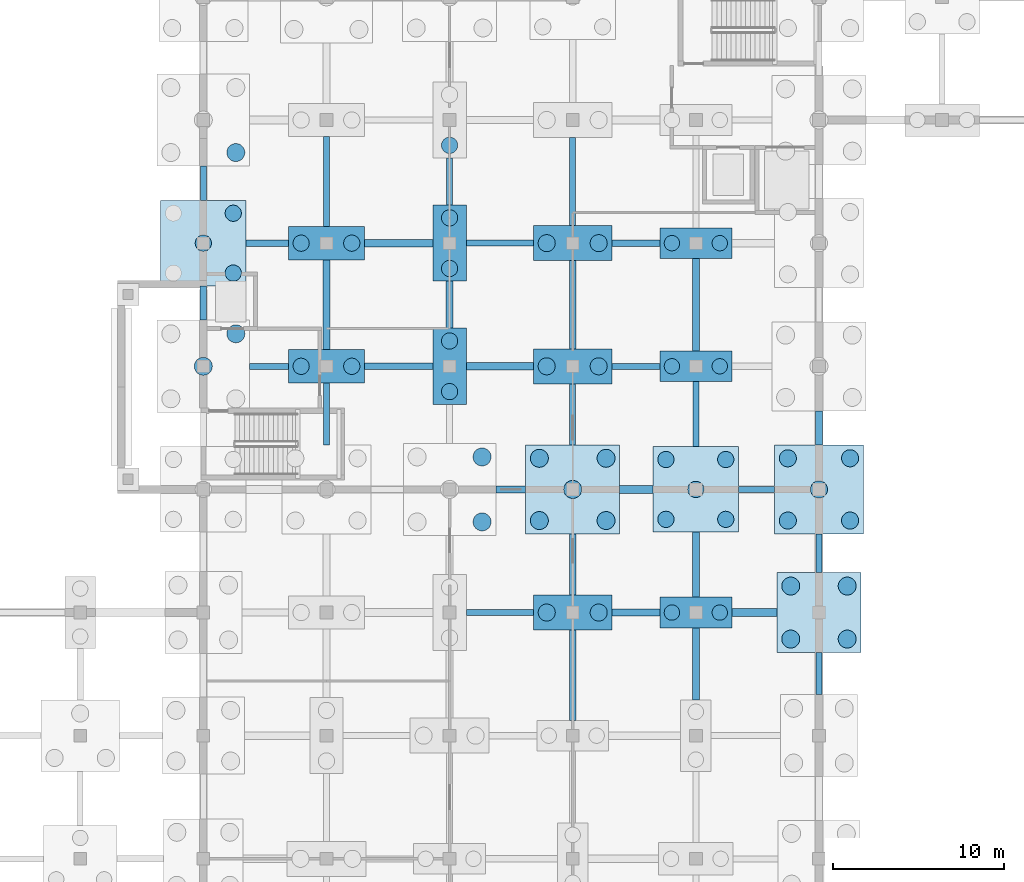
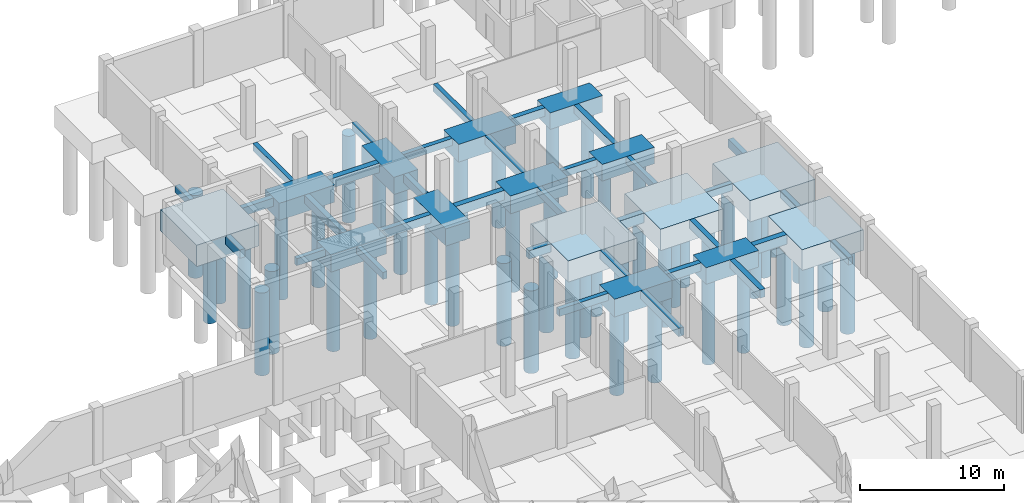
# One storey, part 11 of 35: 48 footings, 48 piles.
"""IFC4 building model written with IfcOpenShell, lengths in metres."""

from ifc_helpers import new_model, si_unit, direction, frame, origin, origin_2d, place, context, subcontext, project, spatial, rectangle, circle, extrude, material, material_profile, profile_set, type_object, element, save


model = new_model("IFC4")

# Units and contexts
model_context = context("Model", 3, precision=1e-05, world=origin(), true_north=direction((0.0, 1.0)))
body_context = subcontext(model_context, "Body", "Model", "MODEL_VIEW")
ifc_project = project(units=[si_unit("LENGTHUNIT", "METRE"), si_unit("AREAUNIT", "SQUARE_METRE"), si_unit("VOLUMEUNIT", "CUBIC_METRE"), si_unit("PLANEANGLEUNIT", "RADIAN"), si_unit("MASSUNIT", "GRAM", prefix="KILO"), si_unit("THERMODYNAMICTEMPERATUREUNIT", "KELVIN"), si_unit("POWERUNIT", "WATT")], contexts=[model_context])

# Site, building, storey
site_placement = place(None, origin())
site = spatial("IfcSite", under=ifc_project, at=site_placement, CompositionType="ELEMENT")
building_placement = place(site_placement, origin())
building = spatial("IfcBuilding", under=site, at=building_placement, Name="Kaldorven Railside Theatre", CompositionType="ELEMENT")
storey_placement = place(building_placement, frame((0.0, 0.0, -4.800048828125)))
storey = spatial("IfcBuildingStorey", under=building, at=storey_placement, Name="B1", CompositionType="ELEMENT", Elevation=-4.800048828125)

# Footings
ifc_material_1 = material(Name="Concrete C40/50", Category="concrete")
ifc_material_profile_1 = material_profile(ifc_material_1, rectangle(XDim=0.449951171875, YDim=0.800048828125, at=origin_2d()), Name="RC 450x800")
ifc_profile_set_1 = profile_set([ifc_material_profile_1], Name="Concrete C40/50")
footing_type_1 = type_object("IfcFootingType", Name="FTG-GB01", PredefinedType="FOOTING_BEAM", material=ifc_profile_set_1)
footing_1_placement = place(storey_placement, frame((118.10009765625, 76.800048828125, -0.39990234375), z_axis=(1.0, 0.0, 0.0), x_axis=(0.0, 1.0, 0.0)))
element("IfcFooting", 1, at=footing_1_placement, inside=storey, type_object=footing_type_1, Name="Foundation Tie Beam GB-309", PredefinedType="FOOTING_BEAM", context=body_context, shape_type="SweptSolid", body=[
    extrude(rectangle(XDim=0.449951171875, YDim=0.800048828125, at=origin_2d()), origin(), (0.0, 0.0, 1.0), 2.64990234375),
])
footing_2_placement = place(storey_placement, frame((111.550048828125, 84.0, -0.39990234375), z_axis=(1.0, 0.0, 0.0), x_axis=(0.0, 1.0, 0.0)))
element("IfcFooting", 2, at=footing_2_placement, inside=storey, type_object=footing_type_1, Name="Foundation Tie Beam GB-318", PredefinedType="FOOTING_BEAM", context=body_context, shape_type="SweptSolid", body=[
    extrude(rectangle(XDim=0.449951171875, YDim=0.800048828125, at=origin_2d()), origin(), (0.0, 0.0, 1.0), 1.949951171875),
])
footing_3_placement = place(storey_placement, frame((102.574951171875, 91.199951171875, -0.39990234375), z_axis=(1.0, 0.0, 0.0), x_axis=(0.0, 1.0, 0.0)))
element("IfcFooting", 3, at=footing_3_placement, inside=storey, type_object=footing_type_1, Name="Foundation Tie Beam GB-327", PredefinedType="FOOTING_BEAM", context=body_context, shape_type="SweptSolid", body=[
    extrude(rectangle(XDim=0.449951171875, YDim=0.800048828125, at=origin_2d()), origin(), (0.0, 0.0, 1.0), 3.925048828125),
])
footing_4_placement = place(storey_placement, frame((96.625, 98.39990234375, -0.39990234375), z_axis=(1.0, 0.0, 0.0), x_axis=(0.0, 1.0, 0.0)))
element("IfcFooting", 4, at=footing_4_placement, inside=storey, type_object=footing_type_1, Name="Foundation Tie Beam GB-336", PredefinedType="FOOTING_BEAM", context=body_context, shape_type="SweptSolid", body=[
    extrude(rectangle(XDim=0.449951171875, YDim=0.800048828125, at=origin_2d()), origin(), (0.0, 0.0, 1.0), 4.0),
])
ifc_material_profile_2 = material_profile(ifc_material_1, rectangle(XDim=0.39990234375, YDim=0.699951171875, at=origin_2d()), Name="RC 400x700")
ifc_profile_set_2 = profile_set([ifc_material_profile_2], Name="Concrete C40/50")
footing_type_2 = type_object("IfcFootingType", Name="FTG-GB02", PredefinedType="FOOTING_BEAM", material=ifc_profile_set_2)
footing_5_placement = place(storey_placement, frame((108.800048828125, 70.5, -0.349853515625), z_axis=(0.0, 1.0, 0.0), x_axis=(-1.0, 0.0, 0.0)))
element("IfcFooting", 5, at=footing_5_placement, inside=storey, type_object=footing_type_2, Name="Foundation Tie Beam GB-286", PredefinedType="FOOTING_BEAM", context=body_context, shape_type="SweptSolid", body=[
    extrude(rectangle(XDim=0.39990234375, YDim=0.699951171875, at=origin_2d()), origin(), (0.0, 0.0, 1.0), 5.27490234375),
])
footing_6_placement = place(storey_placement, frame((116.0, 71.699951171875, -0.349853515625), z_axis=(0.0, 1.0, 0.0), x_axis=(-1.0, 0.0, 0.0)))
element("IfcFooting", 6, at=footing_6_placement, inside=storey, type_object=footing_type_2, Name="Foundation Tie Beam GB-288", PredefinedType="FOOTING_BEAM", context=body_context, shape_type="SweptSolid", body=[
    extrude(rectangle(XDim=0.39990234375, YDim=0.699951171875, at=origin_2d()), origin(), (0.0, 0.0, 1.0), 4.199951171875),
])
footing_7_placement = place(storey_placement, frame((111.10009765625, 76.800048828125, -0.349853515625), z_axis=(1.0, 0.0, 0.0), x_axis=(0.0, 1.0, 0.0)))
element("IfcFooting", 7, at=footing_7_placement, inside=storey, type_object=footing_type_2, Name="Foundation Tie Beam GB-307", PredefinedType="FOOTING_BEAM", context=body_context, shape_type="SweptSolid", body=[
    extrude(rectangle(XDim=0.39990234375, YDim=0.699951171875, at=origin_2d()), origin(), (0.0, 0.0, 1.0), 2.7998046875),
])
footing_8_placement = place(storey_placement, frame((108.800048828125, 77.824951171875, -0.349853515625), z_axis=(0.0, 1.0, 0.0), x_axis=(-1.0, 0.0, 0.0)))
element("IfcFooting", 8, at=footing_8_placement, inside=storey, type_object=footing_type_2, Name="Foundation Tie Beam GB-308", PredefinedType="FOOTING_BEAM", context=body_context, shape_type="SweptSolid", body=[
    extrude(rectangle(XDim=0.39990234375, YDim=0.699951171875, at=origin_2d()), origin(), (0.0, 0.0, 1.0), 3.574951171875),
])
footing_9_placement = place(storey_placement, frame((116.0, 77.699951171875, -0.349853515625), z_axis=(0.0, 1.0, 0.0), x_axis=(-1.0, 0.0, 0.0)))
element("IfcFooting", 9, at=footing_9_placement, inside=storey, type_object=footing_type_2, Name="Foundation Tie Beam GB-310", PredefinedType="FOOTING_BEAM", context=body_context, shape_type="SweptSolid", body=[
    extrude(rectangle(XDim=0.39990234375, YDim=0.699951171875, at=origin_2d()), origin(), (0.0, 0.0, 1.0), 3.800048828125),
])
footing_10_placement = place(storey_placement, frame((104.300048828125, 84.0, -0.349853515625), z_axis=(1.0, 0.0, 0.0), x_axis=(0.0, 1.0, 0.0)))
element("IfcFooting", 10, at=footing_10_placement, inside=storey, type_object=footing_type_2, Name="Foundation Tie Beam GB-316", PredefinedType="FOOTING_BEAM", context=body_context, shape_type="SweptSolid", body=[
    extrude(rectangle(XDim=0.39990234375, YDim=0.699951171875, at=origin_2d()), origin(), (0.0, 0.0, 1.0), 1.75),
])
for number, where, z_axis, x_axis, name in (
    (11, (123.199951171875, 86.60009765625, -0.349853515625), (0.0, 1.0, 0.0), (-1.0, 0.0, 0.0), "Foundation Tie Beam GB-322"),
    (12, (87.199951171875, 93.89990234375, -0.349853515625), (0.0, 1.0, 0.0), (-1.0, 0.0, 0.0), "Foundation Tie Beam GB-324"),
):
    element("IfcFooting", number, at=place(storey_placement, frame(where, z_axis=z_axis, x_axis=x_axis)), inside=storey, type_object=footing_type_2, Name=name, PredefinedType="FOOTING_BEAM", context=body_context, shape_type="SweptSolid", body=[
        extrude(rectangle(XDim=0.39990234375, YDim=0.699951171875, at=origin_2d()), origin(), (0.0, 0.0, 1.0), 2.0),
    ])
footing_11_placement = place(storey_placement, frame((96.625, 91.199951171875, -0.349853515625), z_axis=(1.0, 0.0, 0.0), x_axis=(0.0, 1.0, 0.0)))
element("IfcFooting", 13, at=footing_11_placement, inside=storey, type_object=footing_type_2, Name="Foundation Tie Beam GB-325", PredefinedType="FOOTING_BEAM", context=body_context, shape_type="SweptSolid", body=[
    extrude(rectangle(XDim=0.39990234375, YDim=0.699951171875, at=origin_2d()), origin(), (0.0, 0.0, 1.0), 4.0),
])
footing_12_placement = place(storey_placement, frame((94.39990234375, 92.175048828125, -0.349853515625), z_axis=(0.0, 1.0, 0.0), x_axis=(-1.0, 0.0, 0.0)))
element("IfcFooting", 14, at=footing_12_placement, inside=storey, type_object=footing_type_2, Name="Foundation Tie Beam GB-326", PredefinedType="FOOTING_BEAM", context=body_context, shape_type="SweptSolid", body=[
    extrude(rectangle(XDim=0.39990234375, YDim=0.699951171875, at=origin_2d()), origin(), (0.0, 0.0, 1.0), 5.25),
])
footing_13_placement = place(storey_placement, frame((101.60009765625, 93.425048828125, -0.349853515625), z_axis=(0.0, 1.0, 0.0), x_axis=(-1.0, 0.0, 0.0)))
element("IfcFooting", 15, at=footing_13_placement, inside=storey, type_object=footing_type_2, Name="Foundation Tie Beam GB-328", PredefinedType="FOOTING_BEAM", context=body_context, shape_type="SweptSolid", body=[
    extrude(rectangle(XDim=0.39990234375, YDim=0.699951171875, at=origin_2d()), origin(), (0.0, 0.0, 1.0), 2.75),
])
footing_14_placement = place(storey_placement, frame((108.800048828125, 92.22509765625, -0.349853515625), z_axis=(0.0, 1.0, 0.0), x_axis=(-1.0, 0.0, 0.0)))
element("IfcFooting", 16, at=footing_14_placement, inside=storey, type_object=footing_type_2, Name="Foundation Tie Beam GB-330", PredefinedType="FOOTING_BEAM", context=body_context, shape_type="SweptSolid", body=[
    extrude(rectangle(XDim=0.39990234375, YDim=0.699951171875, at=origin_2d()), origin(), (0.0, 0.0, 1.0), 5.14990234375),
])
footing_15_placement = place(storey_placement, frame((116.0, 92.10009765625, -0.349853515625), z_axis=(0.0, 1.0, 0.0), x_axis=(-1.0, 0.0, 0.0)))
element("IfcFooting", 17, at=footing_15_placement, inside=storey, type_object=footing_type_2, Name="Foundation Tie Beam GB-332", PredefinedType="FOOTING_BEAM", context=body_context, shape_type="SweptSolid", body=[
    extrude(rectangle(XDim=0.39990234375, YDim=0.699951171875, at=origin_2d()), origin(), (0.0, 0.0, 1.0), 5.39990234375),
])
footing_16_placement = place(storey_placement, frame((89.699951171875, 98.39990234375, -0.349853515625), z_axis=(1.0, 0.0, 0.0), x_axis=(0.0, 1.0, 0.0)))
element("IfcFooting", 18, at=footing_16_placement, inside=storey, type_object=footing_type_2, Name="Foundation Tie Beam GB-334", PredefinedType="FOOTING_BEAM", context=body_context, shape_type="SweptSolid", body=[
    extrude(rectangle(XDim=0.39990234375, YDim=0.699951171875, at=origin_2d()), origin(), (0.0, 0.0, 1.0), 2.47509765625),
])
footing_17_placement = place(storey_placement, frame((111.10009765625, 98.39990234375, -0.349853515625), z_axis=(1.0, 0.0, 0.0), x_axis=(0.0, 1.0, 0.0)))
element("IfcFooting", 19, at=footing_17_placement, inside=storey, type_object=footing_type_2, Name="Foundation Tie Beam GB-340", PredefinedType="FOOTING_BEAM", context=body_context, shape_type="SweptSolid", body=[
    extrude(rectangle(XDim=0.39990234375, YDim=0.699951171875, at=origin_2d()), origin(), (0.0, 0.0, 1.0), 2.7998046875),
])
ifc_material_profile_3 = material_profile(ifc_material_1, rectangle(XDim=0.35009765625, YDim=0.60009765625, at=origin_2d()), Name="RC 350x600")
ifc_profile_set_3 = profile_set([ifc_material_profile_3], Name="Concrete C40/50")
footing_type_3 = type_object("IfcFootingType", Name="FTG-GB03", PredefinedType="FOOTING_BEAM", material=ifc_profile_set_3)
footing_18_placement = place(storey_placement, frame((123.199951171875, 72.0, -0.300048828125), z_axis=(0.0, 1.0, 0.0), x_axis=(-1.0, 0.0, 0.0)))
element("IfcFooting", 20, at=footing_18_placement, inside=storey, type_object=footing_type_3, Name="Foundation Tie Beam GB-289", PredefinedType="FOOTING_BEAM", context=body_context, shape_type="SweptSolid", body=[
    extrude(rectangle(XDim=0.35009765625, YDim=0.60009765625, at=origin_2d()), origin(), (0.0, 0.0, 1.0), 2.449951171875),
])
footing_19_placement = place(storey_placement, frame((102.574951171875, 76.800048828125, -0.300048828125), z_axis=(1.0, 0.0, 0.0), x_axis=(0.0, 1.0, 0.0)))
element("IfcFooting", 21, at=footing_19_placement, inside=storey, type_object=footing_type_3, Name="Foundation Tie Beam GB-305", PredefinedType="FOOTING_BEAM", context=body_context, shape_type="SweptSolid", body=[
    extrude(rectangle(XDim=0.35009765625, YDim=0.60009765625, at=origin_2d()), origin(), (0.0, 0.0, 1.0), 3.925048828125),
])
footing_20_placement = place(storey_placement, frame((123.199951171875, 79.14990234375, -0.300048828125), z_axis=(0.0, 1.0, 0.0), x_axis=(-1.0, 0.0, 0.0)))
element("IfcFooting", 22, at=footing_20_placement, inside=storey, type_object=footing_type_3, Name="Foundation Tie Beam GB-311", PredefinedType="FOOTING_BEAM", context=body_context, shape_type="SweptSolid", body=[
    extrude(rectangle(XDim=0.35009765625, YDim=0.60009765625, at=origin_2d()), origin(), (0.0, 0.0, 1.0), 2.25),
])
footing_21_placement = place(storey_placement, frame((94.39990234375, 86.60009765625, -0.300048828125), z_axis=(0.0, 1.0, 0.0), x_axis=(-1.0, 0.0, 0.0)))
element("IfcFooting", 23, at=footing_21_placement, inside=storey, type_object=footing_type_3, Name="Foundation Tie Beam GB-315", PredefinedType="FOOTING_BEAM", context=body_context, shape_type="SweptSolid", body=[
    extrude(rectangle(XDim=0.35009765625, YDim=0.60009765625, at=origin_2d()), origin(), (0.0, 0.0, 1.0), 3.625),
])
footing_22_placement = place(storey_placement, frame((108.800048828125, 86.60009765625, -0.300048828125), z_axis=(0.0, 1.0, 0.0), x_axis=(-1.0, 0.0, 0.0)))
element("IfcFooting", 24, at=footing_22_placement, inside=storey, type_object=footing_type_3, Name="Foundation Tie Beam GB-319", PredefinedType="FOOTING_BEAM", context=body_context, shape_type="SweptSolid", body=[
    extrude(rectangle(XDim=0.35009765625, YDim=0.60009765625, at=origin_2d()), origin(), (0.0, 0.0, 1.0), 3.574951171875),
])
footing_23_placement = place(storey_placement, frame((118.5, 84.0, -0.300048828125), z_axis=(1.0, 0.0, 0.0), x_axis=(0.0, 1.0, 0.0)))
element("IfcFooting", 25, at=footing_23_placement, inside=storey, type_object=footing_type_3, Name="Foundation Tie Beam GB-320", PredefinedType="FOOTING_BEAM", context=body_context, shape_type="SweptSolid", body=[
    extrude(rectangle(XDim=0.35009765625, YDim=0.60009765625, at=origin_2d()), origin(), (0.0, 0.0, 1.0), 2.10009765625),
])
footing_24_placement = place(storey_placement, frame((116.0, 86.5, -0.300048828125), z_axis=(0.0, 1.0, 0.0), x_axis=(-1.0, 0.0, 0.0)))
element("IfcFooting", 26, at=footing_24_placement, inside=storey, type_object=footing_type_3, Name="Foundation Tie Beam GB-321", PredefinedType="FOOTING_BEAM", context=body_context, shape_type="SweptSolid", body=[
    extrude(rectangle(XDim=0.35009765625, YDim=0.60009765625, at=origin_2d()), origin(), (0.0, 0.0, 1.0), 3.800048828125),
])
footing_25_placement = place(storey_placement, frame((89.89990234375, 91.199951171875, -0.300048828125), z_axis=(1.0, 0.0, 0.0), x_axis=(0.0, 1.0, 0.0)))
element("IfcFooting", 27, at=footing_25_placement, inside=storey, type_object=footing_type_3, Name="Foundation Tie Beam GB-323", PredefinedType="FOOTING_BEAM", context=body_context, shape_type="SweptSolid", body=[
    extrude(rectangle(XDim=0.35009765625, YDim=0.60009765625, at=origin_2d()), origin(), (0.0, 0.0, 1.0), 2.275146484375),
])
footing_26_placement = place(storey_placement, frame((111.10009765625, 91.199951171875, -0.300048828125), z_axis=(1.0, 0.0, 0.0), x_axis=(0.0, 1.0, 0.0)))
element("IfcFooting", 28, at=footing_26_placement, inside=storey, type_object=footing_type_3, Name="Foundation Tie Beam GB-329", PredefinedType="FOOTING_BEAM", context=body_context, shape_type="SweptSolid", body=[
    extrude(rectangle(XDim=0.35009765625, YDim=0.60009765625, at=origin_2d()), origin(), (0.0, 0.0, 1.0), 2.7998046875),
])
footing_27_placement = place(storey_placement, frame((87.199951171875, 100.89990234375, -0.300048828125), z_axis=(0.0, 1.0, 0.0), x_axis=(-1.0, 0.0, 0.0)))
element("IfcFooting", 29, at=footing_27_placement, inside=storey, type_object=footing_type_3, Name="Foundation Tie Beam GB-335", PredefinedType="FOOTING_BEAM", context=body_context, shape_type="SweptSolid", body=[
    extrude(rectangle(XDim=0.35009765625, YDim=0.60009765625, at=origin_2d()), origin(), (0.0, 0.0, 1.0), 2.0),
])
footing_28_placement = place(storey_placement, frame((94.39990234375, 99.375, -0.300048828125), z_axis=(0.0, 1.0, 0.0), x_axis=(-1.0, 0.0, 0.0)))
element("IfcFooting", 30, at=footing_28_placement, inside=storey, type_object=footing_type_3, Name="Foundation Tie Beam GB-337", PredefinedType="FOOTING_BEAM", context=body_context, shape_type="SweptSolid", body=[
    extrude(rectangle(XDim=0.35009765625, YDim=0.60009765625, at=origin_2d()), origin(), (0.0, 0.0, 1.0), 5.25),
])
footing_29_placement = place(storey_placement, frame((102.574951171875, 98.39990234375, -0.300048828125), z_axis=(1.0, 0.0, 0.0), x_axis=(0.0, 1.0, 0.0)))
element("IfcFooting", 31, at=footing_29_placement, inside=storey, type_object=footing_type_3, Name="Foundation Tie Beam GB-338", PredefinedType="FOOTING_BEAM", context=body_context, shape_type="SweptSolid", body=[
    extrude(rectangle(XDim=0.35009765625, YDim=0.60009765625, at=origin_2d()), origin(), (0.0, 0.0, 1.0), 3.925048828125),
])
footing_30_placement = place(storey_placement, frame((101.60009765625, 100.625, -0.300048828125), z_axis=(0.0, 1.0, 0.0), x_axis=(-1.0, 0.0, 0.0)))
element("IfcFooting", 32, at=footing_30_placement, inside=storey, type_object=footing_type_3, Name="Foundation Tie Beam GB-339", PredefinedType="FOOTING_BEAM", context=body_context, shape_type="SweptSolid", body=[
    extrude(rectangle(XDim=0.35009765625, YDim=0.60009765625, at=origin_2d()), origin(), (0.0, 0.0, 1.0), 2.75),
])
footing_31_placement = place(storey_placement, frame((108.800048828125, 99.425048828125, -0.300048828125), z_axis=(0.0, 1.0, 0.0), x_axis=(-1.0, 0.0, 0.0)))
element("IfcFooting", 33, at=footing_31_placement, inside=storey, type_object=footing_type_3, Name="Foundation Tie Beam GB-341", PredefinedType="FOOTING_BEAM", context=body_context, shape_type="SweptSolid", body=[
    extrude(rectangle(XDim=0.35009765625, YDim=0.60009765625, at=origin_2d()), origin(), (0.0, 0.0, 1.0), 5.14990234375),
])
footing_type_4 = type_object("IfcFootingType", Name="FTG-PC03", PredefinedType="PILE_CAP", material=ifc_material_1)
for number, where, z_axis, x_axis, name in (
    (34, (116.0, 76.800048828125, -1.39990234375), (0.0, 0.0, 1.0), (1.0, 0.0, 0.0), "Reinforced Concrete Pile Cap FC-174"),
    (35, (116.0, 91.199951171875, -1.39990234375), (0.0, 0.0, 1.0), (1.0, 0.0, 0.0), "Reinforced Concrete Pile Cap FC-186"),
    (36, (116.0, 98.39990234375, -1.39990234375), (0.0, 0.0, 1.0), (1.0, 0.0, 0.0), "Reinforced Concrete Pile Cap FC-192"),
):
    element("IfcFooting", number, at=place(storey_placement, frame(where, z_axis=z_axis, x_axis=x_axis)), inside=storey, type_object=footing_type_4, Name=name, PredefinedType="PILE_CAP", context=body_context, shape_type="SweptSolid", body=[
        extrude(rectangle(XDim=4.199951171875, YDim=1.800048828125, at=origin_2d()), origin(), (0.0, 0.0, 1.0), 1.39990234375),
    ])
footing_type_5 = type_object("IfcFootingType", Name="FTG-PC06", PredefinedType="PILE_CAP", material=ifc_material_1)
for number, where, z_axis, x_axis, name in (
    (37, (94.39990234375, 91.199951171875, -1.44970703125), (0.0, 0.0, 1.0), (1.0, 0.0, 0.0), "Reinforced Concrete Pile Cap FC-183"),
    (38, (94.39990234375, 98.39990234375, -1.44970703125), (0.0, 0.0, 1.0), (1.0, 0.0, 0.0), "Reinforced Concrete Pile Cap FC-189"),
):
    element("IfcFooting", number, at=place(storey_placement, frame(where, z_axis=z_axis, x_axis=x_axis)), inside=storey, type_object=footing_type_5, Name=name, PredefinedType="PILE_CAP", context=body_context, shape_type="SweptSolid", body=[
        extrude(rectangle(XDim=4.449951171875, YDim=1.949951171875, at=origin_2d()), origin(), (0.0, 0.0, 1.0), 1.449951171875),
    ])
footing_type_6 = type_object("IfcFootingType", Name="FTG-PC07", PredefinedType="PILE_CAP", material=ifc_material_1)
for number, where, z_axis, x_axis, name in (
    (39, (101.60009765625, 91.199951171875, -1.44970703125), (0.0, 0.0, 1.0), (1.0, 0.0, 0.0), "Reinforced Concrete Pile Cap FC-184"),
    (40, (101.60009765625, 98.39990234375, -1.44970703125), (0.0, 0.0, 1.0), (1.0, 0.0, 0.0), "Reinforced Concrete Pile Cap FC-190"),
):
    element("IfcFooting", number, at=place(storey_placement, frame(where, z_axis=z_axis, x_axis=x_axis)), inside=storey, type_object=footing_type_6, Name=name, PredefinedType="PILE_CAP", context=body_context, shape_type="SweptSolid", body=[
        extrude(rectangle(XDim=1.949951171875, YDim=4.449951171875, at=origin_2d()), origin(), (0.0, 0.0, 1.0), 1.449951171875),
    ])
footing_type_7 = type_object("IfcFootingType", Name="FTG-PC08", PredefinedType="PILE_CAP", material=ifc_material_1)
for number, where, z_axis, x_axis, name in (
    (41, (108.800048828125, 76.800048828125, -1.5), (0.0, 0.0, 1.0), (1.0, 0.0, 0.0), "Reinforced Concrete Pile Cap FC-173"),
    (42, (108.800048828125, 91.199951171875, -1.5), (0.0, 0.0, 1.0), (1.0, 0.0, 0.0), "Reinforced Concrete Pile Cap FC-185"),
    (43, (108.800048828125, 98.39990234375, -1.5), (0.0, 0.0, 1.0), (1.0, 0.0, 0.0), "Reinforced Concrete Pile Cap FC-191"),
):
    element("IfcFooting", number, at=place(storey_placement, frame(where, z_axis=z_axis, x_axis=x_axis)), inside=storey, type_object=footing_type_7, Name=name, PredefinedType="PILE_CAP", context=body_context, shape_type="SweptSolid", body=[
        extrude(rectangle(XDim=4.60009765625, YDim=2.050048828125, at=origin_2d()), origin(), (0.0, 0.0, 1.0), 1.5),
    ])
footing_type_8 = type_object("IfcFootingType", Name="FTG-PC18", PredefinedType="PILE_CAP", material=ifc_material_1)
footing_32_placement = place(storey_placement, frame((123.199951171875, 76.800048828125, -1.75), z_axis=(0.0, 0.0, 1.0), x_axis=(1.0, 0.0, 0.0)))
element("IfcFooting", 44, at=footing_32_placement, inside=storey, type_object=footing_type_8, Name="Reinforced Concrete Pile Cap FC-175", PredefinedType="PILE_CAP", context=body_context, shape_type="SweptSolid", body=[
    extrude(rectangle(XDim=4.89990234375, YDim=4.699951171875, at=origin_2d()), origin(), (0.0, 0.0, 1.0), 1.75),
])
footing_type_9 = type_object("IfcFootingType", Name="FTG-PC19", PredefinedType="PILE_CAP", material=ifc_material_1)
for number, where, z_axis, x_axis, name in (
    (45, (116.0, 84.0, -1.7998046875), (0.0, 0.0, 1.0), (1.0, 0.0, 0.0), "Reinforced Concrete Pile Cap FC-180"),
    (46, (87.199951171875, 98.39990234375, -1.7998046875), (0.0, 0.0, 1.0), (1.0, 0.0, 0.0), "Reinforced Concrete Pile Cap FC-188"),
):
    element("IfcFooting", number, at=place(storey_placement, frame(where, z_axis=z_axis, x_axis=x_axis)), inside=storey, type_object=footing_type_9, Name=name, PredefinedType="PILE_CAP", context=body_context, shape_type="SweptSolid", body=[
        extrude(rectangle(XDim=5.0, YDim=5.0, at=origin_2d()), origin(), (0.0, 0.0, 1.0), 1.800048828125),
    ])
footing_type_10 = type_object("IfcFootingType", Name="FTG-PC20", PredefinedType="PILE_CAP", material=ifc_material_1)
footing_33_placement = place(storey_placement, frame((123.199951171875, 84.0, -1.7998046875), z_axis=(0.0, 0.0, 1.0), x_axis=(1.0, 0.0, 0.0)))
element("IfcFooting", 47, at=footing_33_placement, inside=storey, type_object=footing_type_10, Name="Reinforced Concrete Pile Cap FC-181", PredefinedType="PILE_CAP", context=body_context, shape_type="SweptSolid", body=[
    extrude(rectangle(XDim=5.199951171875, YDim=5.199951171875, at=origin_2d()), origin(), (0.0, 0.0, 1.0), 1.800048828125),
])
footing_type_11 = type_object("IfcFootingType", Name="FTG-PC22", PredefinedType="PILE_CAP", material=ifc_material_1)
footing_34_placement = place(storey_placement, frame((108.800048828125, 84.0, -1.7998046875), z_axis=(0.0, 0.0, 1.0), x_axis=(1.0, 0.0, 0.0)))
element("IfcFooting", 48, at=footing_34_placement, inside=storey, type_object=footing_type_11, Name="Reinforced Concrete Pile Cap FC-179", PredefinedType="PILE_CAP", context=body_context, shape_type="SweptSolid", body=[
    extrude(rectangle(XDim=5.5, YDim=5.199951171875, at=origin_2d()), origin(), (0.0, 0.0, 1.0), 1.800048828125),
])

# Piles
ifc_material_2 = material(Name="Concrete C35/45", Category="concrete")
ifc_material_profile_4 = material_profile(ifc_material_2, circle(Radius=0.5, at=origin_2d()), Name="BP D1000")
ifc_profile_set_4 = profile_set([ifc_material_profile_4], Name="Concrete C35/45")
pile_type_1 = type_object("IfcPileType", Name="PIL-D1000", PredefinedType="BORED", material=ifc_profile_set_4)
for number, where, z_axis, x_axis, name in (
    (49, (107.280029296875, 76.800048828125, -1.39990234375), (0.0, 0.0, -1.0), (1.0, 0.0, 0.0), "Bored Bedrock Socket Pile BP-108-076-1"),
    (50, (110.320068359375, 76.800048828125, -1.39990234375), (0.0, 0.0, -1.0), (1.0, 0.0, 0.0), "Bored Bedrock Socket Pile BP-108-076-2"),
):
    element("IfcPile", number, at=place(storey_placement, frame(where, z_axis=z_axis, x_axis=x_axis)), inside=storey, type_object=pile_type_1, Name=name, PredefinedType="BORED", context=body_context, shape_type="SweptSolid", body=[
        extrude(circle(Radius=0.5, at=origin_2d()), origin(), (0.0, 0.0, 1.0), 7.300048828125),
    ])
for number, where, z_axis, x_axis, name in (
    (51, (121.3798828125, 82.179931640625, -1.699951171875), (0.0, 0.0, -1.0), (1.0, 0.0, 0.0), "Bored Bedrock Socket Pile BP-123-084-1"),
    (52, (125.02001953125, 82.179931640625, -1.699951171875), (0.0, 0.0, -1.0), (1.0, 0.0, 0.0), "Bored Bedrock Socket Pile BP-123-084-2"),
    (53, (121.3798828125, 85.820068359375, -1.699951171875), (0.0, 0.0, -1.0), (1.0, 0.0, 0.0), "Bored Bedrock Socket Pile BP-123-084-3"),
    (54, (125.02001953125, 85.820068359375, -1.699951171875), (0.0, 0.0, -1.0), (1.0, 0.0, 0.0), "Bored Bedrock Socket Pile BP-123-084-4"),
    (55, (123.199951171875, 84.0, -1.699951171875), (0.0, 0.0, -1.0), (1.0, 0.0, 0.0), "Bored Bedrock Socket Pile BP-123-084-5"),
):
    element("IfcPile", number, at=place(storey_placement, frame(where, z_axis=z_axis, x_axis=x_axis)), inside=storey, type_object=pile_type_1, Name=name, PredefinedType="BORED", context=body_context, shape_type="SweptSolid", body=[
        extrude(circle(Radius=0.5, at=origin_2d()), origin(), (0.0, 0.0, 1.0), 7.0),
    ])
for number, where, z_axis, x_axis, name in (
    (56, (107.280029296875, 91.199951171875, -1.39990234375), (0.0, 0.0, -1.0), (1.0, 0.0, 0.0), "Bored Bedrock Socket Pile BP-108-091-1"),
    (57, (110.320068359375, 91.199951171875, -1.39990234375), (0.0, 0.0, -1.0), (1.0, 0.0, 0.0), "Bored Bedrock Socket Pile BP-108-091-2"),
    (58, (107.280029296875, 98.39990234375, -1.39990234375), (0.0, 0.0, -1.0), (1.0, 0.0, 0.0), "Bored Bedrock Socket Pile BP-108-098-1"),
    (59, (110.320068359375, 98.39990234375, -1.39990234375), (0.0, 0.0, -1.0), (1.0, 0.0, 0.0), "Bored Bedrock Socket Pile BP-108-098-2"),
):
    element("IfcPile", number, at=place(storey_placement, frame(where, z_axis=z_axis, x_axis=x_axis)), inside=storey, type_object=pile_type_1, Name=name, PredefinedType="BORED", context=body_context, shape_type="SweptSolid", body=[
        extrude(circle(Radius=0.5, at=origin_2d()), origin(), (0.0, 0.0, 1.0), 7.300048828125),
    ])
ifc_material_profile_5 = material_profile(ifc_material_2, circle(Radius=0.52490234375, at=origin_2d()), Name="BP D1050")
ifc_profile_set_5 = profile_set([ifc_material_profile_5], Name="Concrete C35/45")
pile_type_2 = type_object("IfcPileType", Name="PIL-D1050", PredefinedType="BORED", material=ifc_profile_set_5)
for number, where, z_axis, x_axis, name in (
    (60, (121.550048828125, 75.25, -1.64990234375), (0.0, 0.0, -1.0), (1.0, 0.0, 0.0), "Bored Bedrock Socket Pile BP-123-076-1"),
    (61, (124.85009765625, 75.25, -1.64990234375), (0.0, 0.0, -1.0), (1.0, 0.0, 0.0), "Bored Bedrock Socket Pile BP-123-076-2"),
    (62, (121.550048828125, 78.35009765625, -1.64990234375), (0.0, 0.0, -1.0), (1.0, 0.0, 0.0), "Bored Bedrock Socket Pile BP-123-076-3"),
    (63, (124.85009765625, 78.35009765625, -1.64990234375), (0.0, 0.0, -1.0), (1.0, 0.0, 0.0), "Bored Bedrock Socket Pile BP-123-076-4"),
):
    element("IfcPile", number, at=place(storey_placement, frame(where, z_axis=z_axis, x_axis=x_axis)), inside=storey, type_object=pile_type_2, Name=name, PredefinedType="BORED", context=body_context, shape_type="SweptSolid", body=[
        extrude(circle(Radius=0.52490234375, at=origin_2d()), origin(), (0.0, 0.0, 1.0), 7.050048828125),
    ])
for number, where, z_axis, x_axis, name in (
    (64, (103.5, 82.10009765625, -1.699951171875), (0.0, 0.0, -1.0), (1.0, 0.0, 0.0), "Bored Bedrock Socket Pile BP-101-084-2"),
    (65, (103.5, 85.89990234375, -1.699951171875), (0.0, 0.0, -1.0), (1.0, 0.0, 0.0), "Bored Bedrock Socket Pile BP-101-084-4"),
    (66, (106.85009765625, 82.179931640625, -1.699951171875), (0.0, 0.0, -1.0), (1.0, 0.0, 0.0), "Bored Bedrock Socket Pile BP-108-084-1"),
    (67, (110.75, 82.179931640625, -1.699951171875), (0.0, 0.0, -1.0), (1.0, 0.0, 0.0), "Bored Bedrock Socket Pile BP-108-084-2"),
    (68, (106.85009765625, 85.820068359375, -1.699951171875), (0.0, 0.0, -1.0), (1.0, 0.0, 0.0), "Bored Bedrock Socket Pile BP-108-084-3"),
    (69, (110.75, 85.820068359375, -1.699951171875), (0.0, 0.0, -1.0), (1.0, 0.0, 0.0), "Bored Bedrock Socket Pile BP-108-084-4"),
    (70, (108.800048828125, 84.0, -1.699951171875), (0.0, 0.0, -1.0), (1.0, 0.0, 0.0), "Bored Bedrock Socket Pile BP-108-084-5"),
    (71, (89.10009765625, 93.10009765625, -1.699951171875), (0.0, 0.0, -1.0), (1.0, 0.0, 0.0), "Bored Bedrock Socket Pile BP-087-091-4"),
    (72, (87.199951171875, 91.199951171875, -1.699951171875), (0.0, 0.0, -1.0), (1.0, 0.0, 0.0), "Bored Bedrock Socket Pile BP-087-091-5"),
    (73, (89.10009765625, 103.699951171875, -1.699951171875), (0.0, 0.0, -1.0), (1.0, 0.0, 0.0), "Bored Bedrock Socket Pile BP-087-105-2"),
):
    element("IfcPile", number, at=place(storey_placement, frame(where, z_axis=z_axis, x_axis=x_axis)), inside=storey, type_object=pile_type_2, Name=name, PredefinedType="BORED", context=body_context, shape_type="SweptSolid", body=[
        extrude(circle(Radius=0.52490234375, at=origin_2d()), origin(), (0.0, 0.0, 1.0), 7.0),
    ])
ifc_material_profile_6 = material_profile(ifc_material_2, circle(Radius=0.449951171875, at=origin_2d()), Name="BP D900")
ifc_profile_set_6 = profile_set([ifc_material_profile_6], Name="Concrete C35/45")
pile_type_3 = type_object("IfcPileType", Name="PIL-D900", PredefinedType="BORED", material=ifc_profile_set_6)
for number, where, z_axis, x_axis, name in (
    (74, (114.60009765625, 76.800048828125, -1.300048828125), (0.0, 0.0, -1.0), (1.0, 0.0, 0.0), "Bored Bedrock Socket Pile BP-116-076-1"),
    (75, (117.39990234375, 76.800048828125, -1.300048828125), (0.0, 0.0, -1.0), (1.0, 0.0, 0.0), "Bored Bedrock Socket Pile BP-116-076-2"),
    (76, (114.60009765625, 91.199951171875, -1.300048828125), (0.0, 0.0, -1.0), (1.0, 0.0, 0.0), "Bored Bedrock Socket Pile BP-116-091-1"),
    (77, (117.39990234375, 91.199951171875, -1.300048828125), (0.0, 0.0, -1.0), (1.0, 0.0, 0.0), "Bored Bedrock Socket Pile BP-116-091-2"),
    (78, (114.60009765625, 98.39990234375, -1.300048828125), (0.0, 0.0, -1.0), (1.0, 0.0, 0.0), "Bored Bedrock Socket Pile BP-116-098-1"),
    (79, (117.39990234375, 98.39990234375, -1.300048828125), (0.0, 0.0, -1.0), (1.0, 0.0, 0.0), "Bored Bedrock Socket Pile BP-116-098-2"),
):
    element("IfcPile", number, at=place(storey_placement, frame(where, z_axis=z_axis, x_axis=x_axis)), inside=storey, type_object=pile_type_3, Name=name, PredefinedType="BORED", context=body_context, shape_type="SweptSolid", body=[
        extrude(circle(Radius=0.449951171875, at=origin_2d()), origin(), (0.0, 0.0, 1.0), 7.39990234375),
    ])
ifc_material_profile_7 = material_profile(ifc_material_2, circle(Radius=0.47509765625, at=origin_2d()), Name="BP D950")
ifc_profile_set_7 = profile_set([ifc_material_profile_7], Name="Concrete C35/45")
pile_type_4 = type_object("IfcPileType", Name="PIL-D950", PredefinedType="BORED", material=ifc_profile_set_7)
for number, where, z_axis, x_axis, name in (
    (80, (114.25, 82.25, -1.699951171875), (0.0, 0.0, -1.0), (1.0, 0.0, 0.0), "Bored Bedrock Socket Pile BP-116-084-1"),
    (81, (117.75, 82.25, -1.699951171875), (0.0, 0.0, -1.0), (1.0, 0.0, 0.0), "Bored Bedrock Socket Pile BP-116-084-2"),
    (82, (114.25, 85.75, -1.699951171875), (0.0, 0.0, -1.0), (1.0, 0.0, 0.0), "Bored Bedrock Socket Pile BP-116-084-3"),
    (83, (117.75, 85.75, -1.699951171875), (0.0, 0.0, -1.0), (1.0, 0.0, 0.0), "Bored Bedrock Socket Pile BP-116-084-4"),
    (84, (116.0, 84.0, -1.699951171875), (0.0, 0.0, -1.0), (1.0, 0.0, 0.0), "Bored Bedrock Socket Pile BP-116-084-5"),
):
    element("IfcPile", number, at=place(storey_placement, frame(where, z_axis=z_axis, x_axis=x_axis)), inside=storey, type_object=pile_type_4, Name=name, PredefinedType="BORED", context=body_context, shape_type="SweptSolid", body=[
        extrude(circle(Radius=0.47509765625, at=origin_2d()), origin(), (0.0, 0.0, 1.0), 7.0),
    ])
for number, where, z_axis, x_axis, name in (
    (85, (92.919921875, 91.199951171875, -1.349853515625), (0.0, 0.0, -1.0), (1.0, 0.0, 0.0), "Bored Bedrock Socket Pile BP-094-091-1"),
    (86, (95.8798828125, 91.199951171875, -1.349853515625), (0.0, 0.0, -1.0), (1.0, 0.0, 0.0), "Bored Bedrock Socket Pile BP-094-091-2"),
    (87, (101.60009765625, 89.719970703125, -1.349853515625), (0.0, 0.0, -1.0), (1.0, 0.0, 0.0), "Bored Bedrock Socket Pile BP-101-091-1"),
    (88, (101.60009765625, 92.679931640625, -1.349853515625), (0.0, 0.0, -1.0), (1.0, 0.0, 0.0), "Bored Bedrock Socket Pile BP-101-091-2"),
):
    element("IfcPile", number, at=place(storey_placement, frame(where, z_axis=z_axis, x_axis=x_axis)), inside=storey, type_object=pile_type_4, Name=name, PredefinedType="BORED", context=body_context, shape_type="SweptSolid", body=[
        extrude(circle(Radius=0.47509765625, at=origin_2d()), origin(), (0.0, 0.0, 1.0), 7.35009765625),
    ])
for number, where, z_axis, x_axis, name in (
    (89, (88.949951171875, 96.64990234375, -1.699951171875), (0.0, 0.0, -1.0), (1.0, 0.0, 0.0), "Bored Bedrock Socket Pile BP-087-098-2"),
    (90, (88.949951171875, 100.14990234375, -1.699951171875), (0.0, 0.0, -1.0), (1.0, 0.0, 0.0), "Bored Bedrock Socket Pile BP-087-098-4"),
    (91, (87.199951171875, 98.39990234375, -1.699951171875), (0.0, 0.0, -1.0), (1.0, 0.0, 0.0), "Bored Bedrock Socket Pile BP-087-098-5"),
):
    element("IfcPile", number, at=place(storey_placement, frame(where, z_axis=z_axis, x_axis=x_axis)), inside=storey, type_object=pile_type_4, Name=name, PredefinedType="BORED", context=body_context, shape_type="SweptSolid", body=[
        extrude(circle(Radius=0.47509765625, at=origin_2d()), origin(), (0.0, 0.0, 1.0), 7.0),
    ])
for number, where, z_axis, x_axis, name in (
    (92, (92.919921875, 98.39990234375, -1.349853515625), (0.0, 0.0, -1.0), (1.0, 0.0, 0.0), "Bored Bedrock Socket Pile BP-094-098-1"),
    (93, (95.8798828125, 98.39990234375, -1.349853515625), (0.0, 0.0, -1.0), (1.0, 0.0, 0.0), "Bored Bedrock Socket Pile BP-094-098-2"),
    (94, (101.60009765625, 96.919921875, -1.349853515625), (0.0, 0.0, -1.0), (1.0, 0.0, 0.0), "Bored Bedrock Socket Pile BP-101-098-1"),
    (95, (101.60009765625, 99.8798828125, -1.349853515625), (0.0, 0.0, -1.0), (1.0, 0.0, 0.0), "Bored Bedrock Socket Pile BP-101-098-2"),
    (96, (101.60009765625, 104.1201171875, -1.349853515625), (0.0, 0.0, -1.0), (1.0, 0.0, 0.0), "Bored Bedrock Socket Pile BP-101-105-1"),
):
    element("IfcPile", number, at=place(storey_placement, frame(where, z_axis=z_axis, x_axis=x_axis)), inside=storey, type_object=pile_type_4, Name=name, PredefinedType="BORED", context=body_context, shape_type="SweptSolid", body=[
        extrude(circle(Radius=0.47509765625, at=origin_2d()), origin(), (0.0, 0.0, 1.0), 7.35009765625),
    ])

save(model, "model.ifc")
